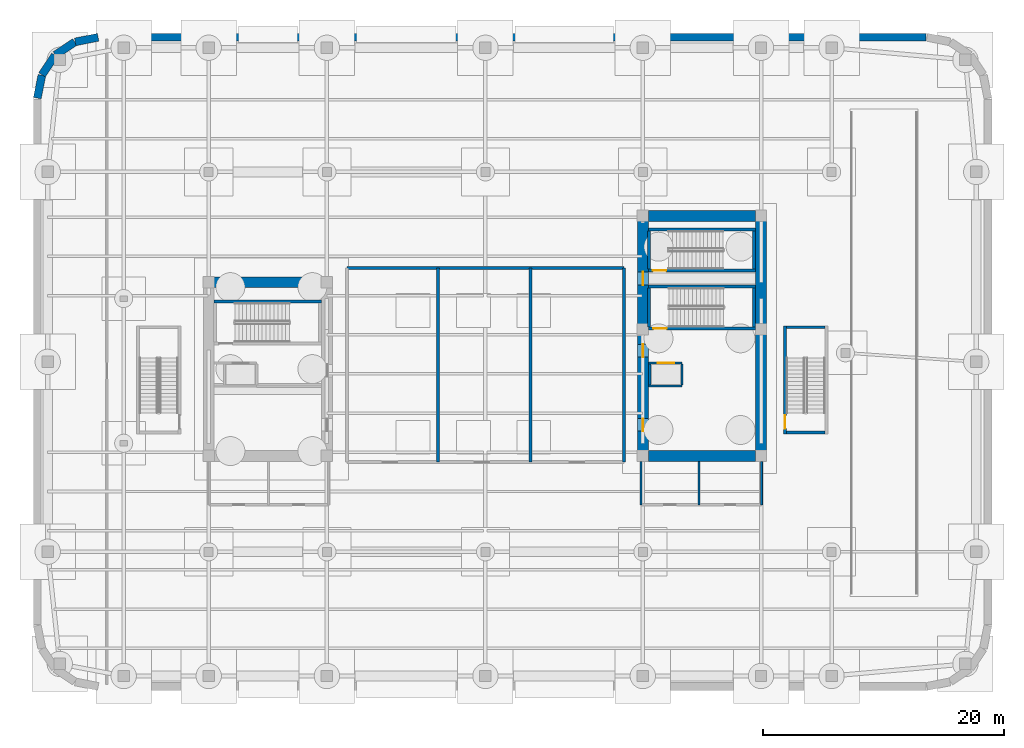
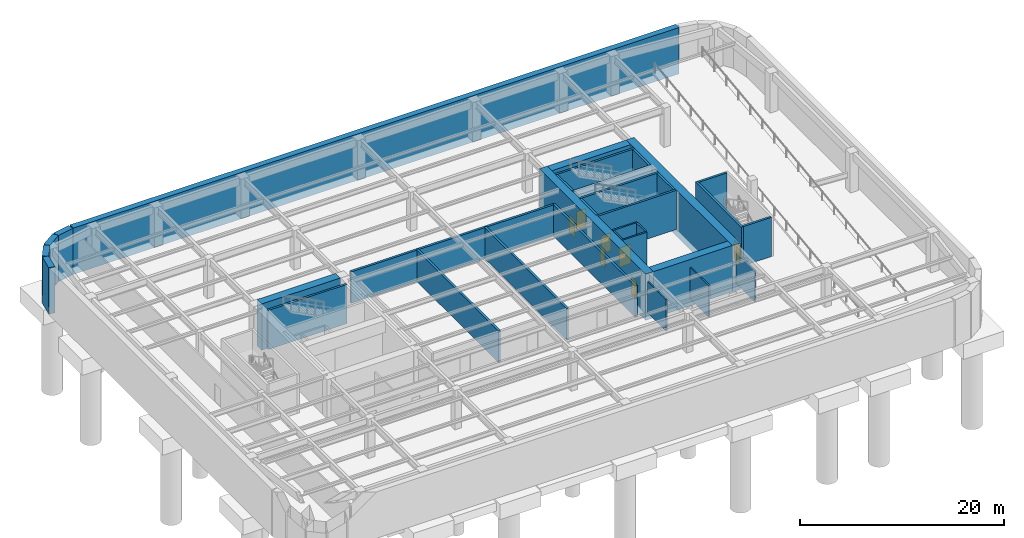
# One storey, part 7 of 14: 33 walls, 7 doors, 7 openings.
"""IFC4 building model written with IfcOpenShell, lengths in metres."""

from ifc_helpers import new_model, si_unit, direction, frame, frame_2d, origin, place, context, subcontext, project, spatial, rectangle, extrude, material, layer, layer_set, type_object, element, fill, save


model = new_model("IFC4")

# Units and contexts
model_context = context("Model", 3, precision=1e-05, world=origin(), true_north=direction((0.0, 1.0)))
body_context = subcontext(model_context, "Body", "Model", "MODEL_VIEW")
ifc_project = project(units=[si_unit("LENGTHUNIT", "METRE"), si_unit("AREAUNIT", "SQUARE_METRE"), si_unit("VOLUMEUNIT", "CUBIC_METRE"), si_unit("PLANEANGLEUNIT", "RADIAN"), si_unit("MASSUNIT", "GRAM", prefix="KILO")], contexts=[model_context])

# Site, building, storey
site_placement = place(None, origin())
site = spatial("IfcSite", under=ifc_project, at=site_placement, CompositionType="ELEMENT")
building_placement = place(site_placement, origin())
building = spatial("IfcBuilding", under=site, at=building_placement, Name="Kolvaren Arena Tower", CompositionType="ELEMENT")
storey_placement = place(building_placement, frame((0.0, 0.0, -10.0)))
storey = spatial("IfcBuildingStorey", under=building, at=storey_placement, Name="B02", CompositionType="ELEMENT", Elevation=-10.0)

# Wall
ifc_material_1 = material(Name="Concrete 80 MPa", Category="concrete")
ifc_layer_1 = layer(ifc_material_1, 0.89990234375)
ifc_layer_set_1 = layer_set([ifc_layer_1], Name="Concrete 80 MPa")
wall_type_1 = type_object("IfcWallType", Name="CWALL-900", PredefinedType="SHEAR", material=ifc_layer_set_1)
wall_1_placement = place(storey_placement, frame((15.0, 33.85009765625, -0.85009765625), z_axis=(0.0, 0.0, 1.0), x_axis=(1.0, 0.0, 0.0)))
element("IfcWall", 1, at=wall_1_placement, inside=storey, type_object=wall_type_1, Name="Core Shear Wall WC-NORTH (B02)", PredefinedType="SHEAR", context=body_context, shape_type="SweptSolid", body=[
    extrude(rectangle(XDim=8.89990234375, YDim=0.89990234375, at=frame_2d((4.449951171875, 0.0))), origin(), (0.0, 0.0, 1.0), 5.5400390625),
])

# Wall, openings, doors
wall_2_placement = place(storey_placement, frame((50.550048828125, 19.0, -0.85009765625), z_axis=(0.0, 0.0, 1.0), x_axis=(0.0, 1.0, 0.0)))
wall_2 = element("IfcWall", 2, at=wall_2_placement, inside=storey, type_object=wall_type_1, Name="Core Shear Wall EC-WEST (B02)", PredefinedType="SHEAR", context=body_context, shape_type="SweptSolid", body=[
    extrude(rectangle(XDim=20.800048828125, YDim=0.89990234375, at=frame_2d((10.39990234375, 0.0))), origin(), (0.0, 0.0, 1.0), 5.5400390625),
])
opening_1_placement = place(wall_2_placement, frame((2.5, 0.0, 0.85009765625)))
opening_1 = element("IfcOpeningElement", 3, at=opening_1_placement, cuts=wall_2, Name="Opening D04", PredefinedType="OPENING", context=body_context, shape_type="SweptSolid", body=[
    extrude(rectangle(XDim=1.050048828125, YDim=2.14990234375, at=frame_2d((0.52490234375, 1.074951171875))), frame((0.0, 0.4599609375, 0.0), z_axis=(0.0, -1.0, 0.0), x_axis=(1.0, 0.0, 0.0)), (0.0, 0.0, 1.0), 0.919921875),
])
opening_2_placement = place(wall_2_placement, frame((8.64990234375, 0.0, 0.85009765625)))
opening_2 = element("IfcOpeningElement", 4, at=opening_2_placement, cuts=wall_2, Name="Opening D04", PredefinedType="OPENING", context=body_context, shape_type="SweptSolid", body=[
    extrude(rectangle(XDim=1.050048828125, YDim=2.14990234375, at=frame_2d((0.52490234375, 1.074951171875))), frame((0.0, 0.4599609375, 0.0), z_axis=(0.0, -1.0, 0.0), x_axis=(1.0, 0.0, 0.0)), (0.0, 0.0, 1.0), 0.919921875),
])
opening_3_placement = place(wall_2_placement, frame((14.6201171875, 0.0, 0.85009765625)))
opening_3 = element("IfcOpeningElement", 5, at=opening_3_placement, cuts=wall_2, Name="Opening D03", PredefinedType="OPENING", context=body_context, shape_type="SweptSolid", body=[
    extrude(rectangle(XDim=1.10009765625, YDim=2.14990234375, at=frame_2d((0.550048828125, 1.074951171875))), frame((0.0, 0.4599609375, 0.0), z_axis=(0.0, -1.0, 0.0), x_axis=(1.0, 0.0, 0.0)), (0.0, 0.0, 1.0), 0.919921875),
])
ifc_material_2 = material(Name="Fire-rated steel lobby door", Category="steel")
door_type_1 = type_object("IfcDoorType", Name="DOOR-FF-105", OperationType="NOTDEFINED", PredefinedType="DOOR", material=ifc_material_2)
door_1_placement = place(opening_1_placement, origin())
door_1 = element("IfcDoor", 6, at=door_1_placement, inside=storey, type_object=door_type_1, Name="East Lift Lobby Fire Door (B02)", OperationType="SINGLE_SWING_RIGHT", OverallHeight=2.14990234375, OverallWidth=1.050048828125, PredefinedType="DOOR", context=body_context, shape_type="SweptSolid", body=[
    extrude(rectangle(XDim=1.050048828125, YDim=2.14990234375, at=frame_2d((0.52490234375, 1.074951171875))), frame((0.0, 0.02490234375, 0.0), z_axis=(0.0, -1.0, 0.0), x_axis=(1.0, 0.0, 0.0)), (0.0, 0.0, 1.0), 0.050048828125),
])
fill(opening_1, door_1)
door_2_placement = place(opening_2_placement, origin())
door_2 = element("IfcDoor", 7, at=door_2_placement, inside=storey, type_object=door_type_1, Name="East Firefighter Vestibule Door (B02)", OperationType="SINGLE_SWING_LEFT", OverallHeight=2.14990234375, OverallWidth=1.050048828125, PredefinedType="DOOR", context=body_context, shape_type="SweptSolid", body=[
    extrude(rectangle(XDim=1.050048828125, YDim=2.14990234375, at=frame_2d((0.52490234375, 1.074951171875))), frame((0.0, 0.02490234375, 0.0), z_axis=(0.0, -1.0, 0.0), x_axis=(1.0, 0.0, 0.0)), (0.0, 0.0, 1.0), 0.050048828125),
])
fill(opening_2, door_2)
ifc_material_3 = material(Name="Fire-rated steel exit stair door", Category="steel")
door_type_2 = type_object("IfcDoorType", Name="DOOR-ST-110", OperationType="NOTDEFINED", PredefinedType="DOOR", material=ifc_material_3)
door_3_placement = place(opening_3_placement, origin())
door_3 = element("IfcDoor", 8, at=door_3_placement, inside=storey, type_object=door_type_2, Name="Stair ST-E2 Vestibule Fire Door (B02)", OperationType="SINGLE_SWING_LEFT", OverallHeight=2.14990234375, OverallWidth=1.10009765625, PredefinedType="DOOR", context=body_context, shape_type="SweptSolid", body=[
    extrude(rectangle(XDim=1.10009765625, YDim=2.14990234375, at=frame_2d((0.550048828125, 1.074951171875))), frame((0.0, 0.02490234375, 0.0), z_axis=(0.0, -1.0, 0.0), x_axis=(1.0, 0.0, 0.0)), (0.0, 0.0, 1.0), 0.050048828125),
])
fill(opening_3, door_3)

# Walls
wall_3_placement = place(storey_placement, frame((60.35009765625, 19.0, -0.85009765625), z_axis=(0.0, 0.0, 1.0), x_axis=(0.0, 1.0, 0.0)))
element("IfcWall", 9, at=wall_3_placement, inside=storey, type_object=wall_type_1, Name="Core Shear Wall EC-EAST (B02)", PredefinedType="SHEAR", context=body_context, shape_type="SweptSolid", body=[
    extrude(rectangle(XDim=20.800048828125, YDim=0.89990234375, at=frame_2d((10.39990234375, 0.0))), origin(), (0.0, 0.0, 1.0), 5.5400390625),
])
for number, where, z_axis, x_axis, name in (
    (10, (51.0, 19.449951171875, -0.85009765625), (0.0, 0.0, 1.0), (1.0, 0.0, 0.0), "Core Shear Wall EC-SOUTH (B02)"),
    (11, (51.0, 39.35009765625, -0.85009765625), (0.0, 0.0, 1.0), (1.0, 0.0, 0.0), "Core Shear Wall EC-NORTH (B02)"),
):
    element("IfcWall", number, at=place(storey_placement, frame(where, z_axis=z_axis, x_axis=x_axis)), inside=storey, type_object=wall_type_1, Name=name, PredefinedType="SHEAR", context=body_context, shape_type="SweptSolid", body=[
        extrude(rectangle(XDim=8.89990234375, YDim=0.89990234375, at=frame_2d((4.449951171875, 0.0))), origin(), (0.0, 0.0, 1.0), 5.5400390625),
    ])
ifc_material_4 = material(Name="Concrete 50 MPa", Category="concrete")
ifc_layer_2 = layer(ifc_material_4, 0.64990234375)
ifc_layer_set_2 = layer_set([ifc_layer_2], Name="Concrete 50 MPa")
wall_type_2 = type_object("IfcWallType", Name="RWALL-650", PredefinedType="USERDEFINED", material=ifc_layer_set_2)
wall_4_placement = place(storey_placement, frame((5.485107421875, 54.175048828125, -0.85009765625), z_axis=(0.0, 0.0, 1.0), x_axis=(1.0, 0.0, 0.0)))
element("IfcWall", 12, at=wall_4_placement, inside=storey, type_object=wall_type_2, Name="Basement Perimeter Retaining Wall (B02)", ObjectType="RETAININGWALL", PredefinedType="USERDEFINED", context=body_context, shape_type="SweptSolid", body=[
    extrude(rectangle(XDim=68.52978515625, YDim=0.64990234375, at=frame_2d((34.264892578125, 0.0))), origin(), (0.0, 0.0, 1.0), 5.5400390625),
])
for number, where, z_axis, x_axis, name in (
    (13, (3.480224609375, 53.78662109375, -0.85009765625), (0.0, 0.0, 1.0), (0.980754811029, 0.19524343944, 0.0), "Basement Perimeter Retaining Wall (B02)"),
    (14, (1.832763671875, 52.6953125, -0.85009765625), (0.0, 0.0, 1.0), (0.831468126154, 0.555572457191, 0.0), "Basement Perimeter Retaining Wall (B02)"),
    (15, (0.728515625, 51.056640625, -0.85009765625), (0.0, 0.0, 1.0), (0.555572457191, 0.831468126154, 0.0), "Basement Perimeter Retaining Wall (B02)"),
    (16, (0.335205078125, 49.1201171875, -0.85009765625), (0.0, 0.0, 1.0), (0.19524343944, 0.980754811029, 0.0), "Basement Perimeter Retaining Wall (B02)"),
):
    element("IfcWall", number, at=place(storey_placement, frame(where, z_axis=z_axis, x_axis=x_axis)), inside=storey, type_object=wall_type_2, Name=name, ObjectType="RETAININGWALL", PredefinedType="USERDEFINED", context=body_context, shape_type="SweptSolid", body=[
        extrude(rectangle(XDim=1.93701171875, YDim=0.64990234375, at=frame_2d((0.968505859375, 0.0))), origin(), (0.0, 0.0, 1.0), 5.5400390625),
    ])

# Wall, opening, door
ifc_material_5 = material(Name="Concrete 45 MPa", Category="concrete")
ifc_layer_3 = layer(ifc_material_5, 0.25)
ifc_layer_set_3 = layer_set([ifc_layer_3], Name="Concrete 45 MPa")
wall_type_3 = type_object("IfcWallType", Name="SHAFT-250", PredefinedType="SOLIDWALL", material=ifc_layer_set_3)
wall_5_placement = place(storey_placement, frame((62.340087890625, 21.260009765625, 0.0), z_axis=(0.0, 0.0, 1.0), x_axis=(0.0, 1.0, 0.0)))
wall_5 = element("IfcWall", 17, at=wall_5_placement, inside=storey, type_object=wall_type_3, Name="Stair ST-B2 Rated Enclosure Wall (B02)", PredefinedType="SOLIDWALL", context=body_context, shape_type="SweptSolid", body=[
    extrude(rectangle(XDim=8.97998046875, YDim=0.239990234375, at=frame_2d((4.489990234375, 0.0))), origin(), (0.0, 0.0, 1.0), 4.68994140625),
])
opening_4_placement = place(wall_5_placement, frame((0.449951171875, 0.0, 0.0)))
opening_4 = element("IfcOpeningElement", 18, at=opening_4_placement, cuts=wall_5, Name="Opening D03", PredefinedType="OPENING", context=body_context, shape_type="SweptSolid", body=[
    extrude(rectangle(XDim=1.10009765625, YDim=2.14990234375, at=frame_2d((0.550048828125, 1.074951171875))), frame((0.0, 0.1298828125, 0.0), z_axis=(0.0, -1.0, 0.0), x_axis=(1.0, 0.0, 0.0)), (0.0, 0.0, 1.0), 0.260009765625),
])
door_4_placement = place(opening_4_placement, origin())
door_4 = element("IfcDoor", 19, at=door_4_placement, inside=storey, type_object=door_type_2, Name="Exit Stair ST-B2 Fire Door (B02)", OperationType="SINGLE_SWING_LEFT", OverallHeight=2.14990234375, OverallWidth=1.10009765625, PredefinedType="DOOR", context=body_context, shape_type="SweptSolid", body=[
    extrude(rectangle(XDim=1.10009765625, YDim=2.14990234375, at=frame_2d((0.550048828125, 1.074951171875))), frame((0.0, 0.02490234375, 0.0), z_axis=(0.0, -1.0, 0.0), x_axis=(1.0, 0.0, 0.0)), (0.0, 0.0, 1.0), 0.050048828125),
])
fill(opening_4, door_4)

# Walls
for number, where, z_axis, x_axis, name in (
    (20, (62.4599609375, 21.3798828125, 0.0), (0.0, 0.0, 1.0), (1.0, 0.0, 0.0), "Stair ST-B2 South Shaft Wall (B02)"),
    (21, (62.4599609375, 30.1201171875, 0.0), (0.0, 0.0, 1.0), (1.0, 0.0, 0.0), "Stair ST-B2 North Shaft Wall (B02)"),
):
    element("IfcWall", number, at=place(storey_placement, frame(where, z_axis=z_axis, x_axis=x_axis)), inside=storey, type_object=wall_type_3, Name=name, PredefinedType="SOLIDWALL", context=body_context, shape_type="SweptSolid", body=[
        extrude(rectangle(XDim=3.18994140625, YDim=0.239990234375, at=frame_2d((1.594970703125, 0.0))), origin(), (0.0, 0.0, 1.0), 4.68994140625),
    ])
wall_6_placement = place(storey_placement, frame((15.0, 32.25, 0.0), z_axis=(0.0, 0.0, 1.0), x_axis=(1.0, 0.0, 0.0)))
element("IfcWall", 22, at=wall_6_placement, inside=storey, type_object=wall_type_3, Name="Core Shaft Wall (B02)", PredefinedType="SOLIDWALL", context=body_context, shape_type="SweptSolid", body=[
    extrude(rectangle(XDim=8.89990234375, YDim=0.239990234375, at=frame_2d((4.449951171875, 0.0))), origin(), (0.0, 0.0, 1.0), 4.68994140625),
])

# Wall, opening, door
wall_7_placement = place(storey_placement, frame((59.89990234375, 30.030029296875, 0.0), z_axis=(0.0, 0.0, 1.0), x_axis=(-1.0, 0.0, 0.0)))
wall_7 = element("IfcWall", 23, at=wall_7_placement, inside=storey, type_object=wall_type_3, Name="Core Shaft Wall (B02)", PredefinedType="SOLIDWALL", context=body_context, shape_type="SweptSolid", body=[
    extrude(rectangle(XDim=8.89990234375, YDim=0.239990234375, at=frame_2d((4.449951171875, 0.0))), origin(), (0.0, 0.0, 1.0), 4.68994140625),
])
opening_5_placement = place(wall_7_placement, frame((7.3798828125, 0.0, 0.0)))
opening_5 = element("IfcOpeningElement", 24, at=opening_5_placement, cuts=wall_7, Name="Opening D03", PredefinedType="OPENING", context=body_context, shape_type="SweptSolid", body=[
    extrude(rectangle(XDim=1.10009765625, YDim=2.14990234375, at=frame_2d((0.550048828125, 1.074951171875))), frame((0.0, 0.1298828125, 0.0), z_axis=(0.0, -1.0, 0.0), x_axis=(1.0, 0.0, 0.0)), (0.0, 0.0, 1.0), 0.260009765625),
])
door_5_placement = place(opening_5_placement, origin())
door_5 = element("IfcDoor", 25, at=door_5_placement, inside=storey, type_object=door_type_2, Name="Stair ST-E1 Fire Door (B02)", OperationType="SINGLE_SWING_LEFT", OverallHeight=2.14990234375, OverallWidth=1.10009765625, PredefinedType="DOOR", context=body_context, shape_type="SweptSolid", body=[
    extrude(rectangle(XDim=1.10009765625, YDim=2.14990234375, at=frame_2d((0.550048828125, 1.074951171875))), frame((0.0, 0.02490234375, 0.0), z_axis=(0.0, -1.0, 0.0), x_axis=(1.0, 0.0, 0.0)), (0.0, 0.0, 1.0), 0.050048828125),
])
fill(opening_5, door_5)

# Walls
wall_8_placement = place(storey_placement, frame((51.0, 33.5, 0.0), z_axis=(0.0, 0.0, 1.0), x_axis=(1.0, 0.0, 0.0)))
element("IfcWall", 26, at=wall_8_placement, inside=storey, type_object=wall_type_3, Name="Core Shaft Wall (B02)", PredefinedType="SOLIDWALL", context=body_context, shape_type="SweptSolid", body=[
    extrude(rectangle(XDim=8.89990234375, YDim=0.239990234375, at=frame_2d((4.449951171875, 0.0))), origin(), (0.0, 0.0, 1.0), 4.68994140625),
])
for number, where, z_axis, x_axis, name in (
    (27, (51.06005859375, 30.14990234375, 0.0), (0.0, 0.0, 1.0), (0.0, 1.0, 0.0), "Core Shaft Wall (B02)"),
    (28, (59.780029296875, 30.14990234375, 0.0), (0.0, 0.0, 1.0), (0.0, 1.0, 0.0), "Core Shaft Wall (B02)"),
):
    element("IfcWall", number, at=place(storey_placement, frame(where, z_axis=z_axis, x_axis=x_axis)), inside=storey, type_object=wall_type_3, Name=name, PredefinedType="SOLIDWALL", context=body_context, shape_type="SweptSolid", body=[
        extrude(rectangle(XDim=3.22998046875, YDim=0.239990234375, at=frame_2d((1.614990234375, 0.0))), origin(), (0.0, 0.0, 1.0), 4.68994140625),
    ])

# Wall, opening, door
wall_9_placement = place(storey_placement, frame((59.89990234375, 34.830078125, 0.0), z_axis=(0.0, 0.0, 1.0), x_axis=(-1.0, 0.0, 0.0)))
wall_9 = element("IfcWall", 29, at=wall_9_placement, inside=storey, type_object=wall_type_3, Name="Core Shaft Wall (B02)", PredefinedType="SOLIDWALL", context=body_context, shape_type="SweptSolid", body=[
    extrude(rectangle(XDim=8.89990234375, YDim=0.239990234375, at=frame_2d((4.449951171875, 0.0))), origin(), (0.0, 0.0, 1.0), 4.68994140625),
])
opening_6_placement = place(wall_9_placement, frame((7.419921875, 0.0, 0.0)))
opening_6 = element("IfcOpeningElement", 30, at=opening_6_placement, cuts=wall_9, Name="Opening D03", PredefinedType="OPENING", context=body_context, shape_type="SweptSolid", body=[
    extrude(rectangle(XDim=1.10009765625, YDim=2.14990234375, at=frame_2d((0.550048828125, 1.074951171875))), frame((0.0, 0.1298828125, 0.0), z_axis=(0.0, -1.0, 0.0), x_axis=(1.0, 0.0, 0.0)), (0.0, 0.0, 1.0), 0.260009765625),
])
door_6_placement = place(opening_6_placement, origin())
door_6 = element("IfcDoor", 31, at=door_6_placement, inside=storey, type_object=door_type_2, Name="Stair ST-E2 Fire Door (B02)", OperationType="SINGLE_SWING_LEFT", OverallHeight=2.14990234375, OverallWidth=1.10009765625, PredefinedType="DOOR", context=body_context, shape_type="SweptSolid", body=[
    extrude(rectangle(XDim=1.10009765625, YDim=2.14990234375, at=frame_2d((0.550048828125, 1.074951171875))), frame((0.0, 0.02490234375, 0.0), z_axis=(0.0, -1.0, 0.0), x_axis=(1.0, 0.0, 0.0)), (0.0, 0.0, 1.0), 0.050048828125),
])
fill(opening_6, door_6)

# Walls
wall_10_placement = place(storey_placement, frame((51.0, 38.219970703125, 0.0), z_axis=(0.0, 0.0, 1.0), x_axis=(1.0, 0.0, 0.0)))
element("IfcWall", 32, at=wall_10_placement, inside=storey, type_object=wall_type_3, Name="Core Shaft Wall (B02)", PredefinedType="SOLIDWALL", context=body_context, shape_type="SweptSolid", body=[
    extrude(rectangle(XDim=8.89990234375, YDim=0.239990234375, at=frame_2d((4.449951171875, 0.0))), origin(), (0.0, 0.0, 1.0), 4.68994140625),
])
for number, where, z_axis, x_axis, name in (
    (33, (51.06005859375, 34.949951171875, 0.0), (0.0, 0.0, 1.0), (0.0, 1.0, 0.0), "Core Shaft Wall (B02)"),
    (34, (59.780029296875, 34.949951171875, 0.0), (0.0, 0.0, 1.0), (0.0, 1.0, 0.0), "Core Shaft Wall (B02)"),
):
    element("IfcWall", number, at=place(storey_placement, frame(where, z_axis=z_axis, x_axis=x_axis)), inside=storey, type_object=wall_type_3, Name=name, PredefinedType="SOLIDWALL", context=body_context, shape_type="SweptSolid", body=[
        extrude(rectangle(XDim=3.150146484375, YDim=0.239990234375, at=frame_2d((1.5751953125, 0.0))), origin(), (0.0, 0.0, 1.0), 4.68994140625),
    ])

# Wall, opening, door
wall_11_placement = place(storey_placement, frame((51.0, 27.155029296875, 0.0), z_axis=(0.0, 0.0, 1.0), x_axis=(1.0, 0.0, 0.0)))
wall_11 = element("IfcWall", 35, at=wall_11_placement, inside=storey, type_object=wall_type_3, Name="Core Shaft Wall (B02)", PredefinedType="SOLIDWALL", context=body_context, shape_type="SweptSolid", body=[
    extrude(rectangle(XDim=2.7900390625, YDim=0.179931640625, at=frame_2d((1.39501953125, 0.0))), origin(), (0.0, 0.0, 1.0), 4.68994140625),
])
opening_7_placement = place(wall_11_placement, frame((0.784912109375, 0.0, 0.0)))
opening_7 = element("IfcOpeningElement", 36, at=opening_7_placement, cuts=wall_11, Name="Opening LD2", PredefinedType="OPENING", context=body_context, shape_type="SweptSolid", body=[
    extrude(rectangle(XDim=1.35009765625, YDim=2.300048828125, at=frame_2d((0.675048828125, 1.14990234375))), frame((0.0, 0.099853515625, 0.0), z_axis=(0.0, -1.0, 0.0), x_axis=(1.0, 0.0, 0.0)), (0.0, 0.0, 1.0), 0.199951171875),
])
ifc_material_6 = material(Name="Stainless steel firefighter lift landing door", Category="steel")
door_type_3 = type_object("IfcDoorType", Name="DOOR-LD-135", OperationType="DOUBLE_DOOR_SLIDING", PredefinedType="DOOR", material=ifc_material_6)
door_7_placement = place(opening_7_placement, origin())
door_7 = element("IfcDoor", 37, at=door_7_placement, inside=storey, type_object=door_type_3, Name="Firefighter Lift FF-E1 Landing Door (B02)", OperationType="DOUBLE_DOOR_SLIDING", OverallHeight=2.300048828125, OverallWidth=1.35009765625, PredefinedType="DOOR", context=body_context, shape_type="SweptSolid", body=[
    extrude(rectangle(XDim=1.35009765625, YDim=2.300048828125, at=frame_2d((0.675048828125, 1.14990234375))), frame((0.0, 0.02490234375, 0.0), z_axis=(0.0, -1.0, 0.0), x_axis=(1.0, 0.0, 0.0)), (0.0, 0.0, 1.0), 0.050048828125),
])
fill(opening_7, door_7)

# Walls
wall_12_placement = place(storey_placement, frame((51.0, 25.2451171875, 0.0), z_axis=(0.0, 0.0, 1.0), x_axis=(1.0, 0.0, 0.0)))
element("IfcWall", 38, at=wall_12_placement, inside=storey, type_object=wall_type_3, Name="Core Shaft Wall (B02)", PredefinedType="SOLIDWALL", context=body_context, shape_type="SweptSolid", body=[
    extrude(rectangle(XDim=2.7900390625, YDim=0.179931640625, at=frame_2d((1.39501953125, 0.0))), origin(), (0.0, 0.0, 1.0), 4.68994140625),
])
for number, where, z_axis, x_axis, name in (
    (39, (51.1298828125, 25.3349609375, 0.0), (0.0, 0.0, 1.0), (0.0, 1.0, 0.0), "Core Shaft Wall (B02)"),
    (40, (53.7900390625, 25.3349609375, 0.0), (0.0, 0.0, 1.0), (0.0, 1.0, 0.0), "Core Shaft Wall (B02)"),
):
    element("IfcWall", number, at=place(storey_placement, frame(where, z_axis=z_axis, x_axis=x_axis)), inside=storey, type_object=wall_type_3, Name=name, PredefinedType="SOLIDWALL", context=body_context, shape_type="SweptSolid", body=[
        extrude(rectangle(XDim=1.72998046875, YDim=0.179931640625, at=frame_2d((0.864990234375, 0.0))), origin(), (0.0, 0.0, 1.0), 4.68994140625),
    ])
wall_13_placement = place(storey_placement, frame((26.0, 35.050048828125, 0.0), z_axis=(0.0, 0.0, 1.0), x_axis=(1.0, 0.0, 0.0)))
element("IfcWall", 41, at=wall_13_placement, inside=storey, type_object=wall_type_3, Name="Interior Partition Wall (B02)", PredefinedType="SOLIDWALL", context=body_context, shape_type="SweptSolid", body=[
    extrude(rectangle(XDim=23.0, YDim=0.25, at=frame_2d((11.5, 0.0))), origin(), (0.0, 0.0, 1.0), 3.75),
])
for number, where, z_axis, x_axis, name in (
    (42, (49.0, 18.949951171875, 0.0), (0.0, 0.0, 1.0), (0.0, 1.0, 0.0), "Interior Partition Wall (B02)"),
    (43, (33.550048828125, 18.949951171875, 0.0), (0.0, 0.0, 1.0), (0.0, 1.0, 0.0), "Interior Partition Wall (B02)"),
    (44, (41.25, 18.949951171875, 0.0), (0.0, 0.0, 1.0), (0.0, 1.0, 0.0), "Interior Partition Wall (B02)"),
):
    element("IfcWall", number, at=place(storey_placement, frame(where, z_axis=z_axis, x_axis=x_axis)), inside=storey, type_object=wall_type_3, Name=name, PredefinedType="SOLIDWALL", context=body_context, shape_type="SweptSolid", body=[
        extrude(rectangle(XDim=16.10009765625, YDim=0.25, at=frame_2d((8.050048828125, 0.0))), origin(), (0.0, 0.0, 1.0), 3.75),
    ])
ifc_material_7 = material(Name="Moisture-resistant gypsum assembly", Category="gypsum")
ifc_layer_4 = layer(ifc_material_7, 0.14990234375)
ifc_layer_set_4 = layer_set([ifc_layer_4], Name="Moisture-resistant gypsum assembly")
wall_type_4 = type_object("IfcWallType", Name="WETW-150", PredefinedType="PARTITIONING", material=ifc_layer_set_4)
for number, where, z_axis, x_axis, name in (
    (45, (55.199951171875, 15.39990234375, 0.0), (0.0, 0.0, 1.0), (0.0, 1.0, 0.0), "Interior Partition Wall (B02)"),
    (46, (50.39990234375, 15.39990234375, 0.0), (0.0, 0.0, 1.0), (0.0, 1.0, 0.0), "Interior Partition Wall (B02)"),
    (47, (60.39990234375, 15.39990234375, 0.0), (0.0, 0.0, 1.0), (0.0, 1.0, 0.0), "Interior Partition Wall (B02)"),
):
    element("IfcWall", number, at=place(storey_placement, frame(where, z_axis=z_axis, x_axis=x_axis)), inside=storey, type_object=wall_type_4, Name=name, PredefinedType="PARTITIONING", context=body_context, shape_type="SweptSolid", body=[
        extrude(rectangle(XDim=3.580078125, YDim=0.14990234375, at=frame_2d((1.7900390625, 0.0))), origin(), (0.0, 0.0, 1.0), 3.75),
    ])

save(model, "model.ifc")
